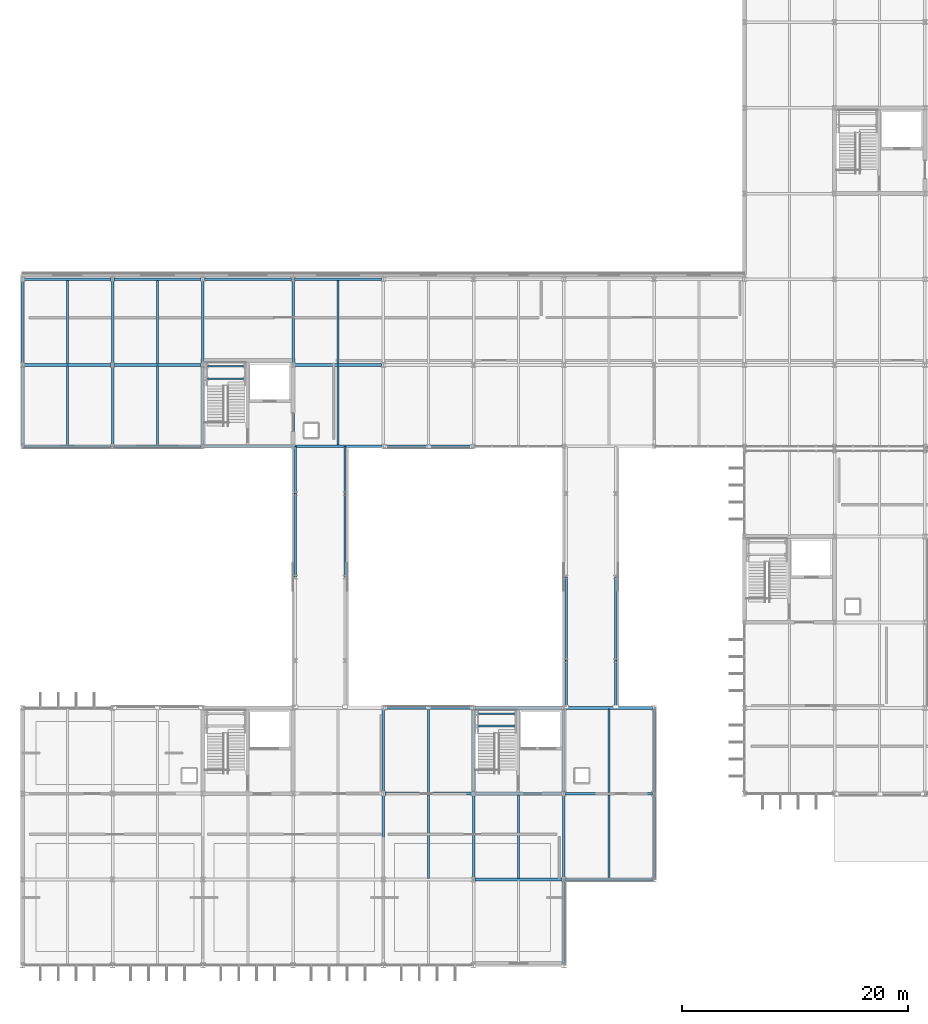
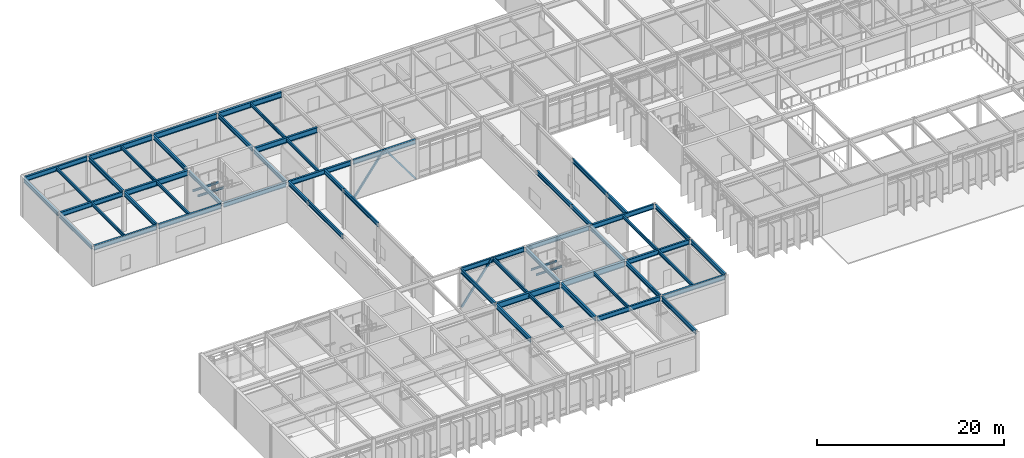
# One storey, part 28 of 94: 60 beams, 4 members.
"""IFC4 building model written with IfcOpenShell, lengths in metres."""

from ifc_helpers import new_model, si_unit, direction, frame, origin, origin_2d, place, context, subcontext, project, spatial, hollow_rectangle, i_section, extrude, material, material_profile, profile_set, type_object, element, save


model = new_model("IFC4")

# Units and contexts
model_context = context("Model", 3, precision=1e-05, world=origin(), true_north=direction((0.0, 1.0)))
body_context = subcontext(model_context, "Body", "Model", "MODEL_VIEW")
ifc_project = project(units=[si_unit("LENGTHUNIT", "METRE"), si_unit("AREAUNIT", "SQUARE_METRE"), si_unit("VOLUMEUNIT", "CUBIC_METRE"), si_unit("PLANEANGLEUNIT", "RADIAN"), si_unit("MASSUNIT", "GRAM", prefix="KILO")], contexts=[model_context])

# Site, building, storey
site_placement = place(None, origin())
site = spatial("IfcSite", under=ifc_project, at=site_placement, CompositionType="ELEMENT")
building_placement = place(site_placement, origin())
building = spatial("IfcBuilding", under=site, at=building_placement, Name="Zulena Civic Courthouse", CompositionType="ELEMENT")
storey_placement = place(building_placement, frame((0.0, 0.0, 5.39990234375)))
storey = spatial("IfcBuildingStorey", under=building, at=storey_placement, Name="L01", CompositionType="ELEMENT", Elevation=5.39990234375)

# Members
ifc_material_1 = material(Name="Steel ASTM A500 Grade C", Category="steel")
ifc_material_profile_1 = material_profile(ifc_material_1, hollow_rectangle(XDim=0.152099609375, YDim=0.25390625, WallThickness=0.0087890625, at=origin_2d()), Name="HSS10X6X3/8")
ifc_profile_set_1 = profile_set([ifc_material_profile_1], Name="Steel ASTM A500 Grade C")
member_type_1 = type_object("IfcMemberType", Name="Brace_HSS10X6", PredefinedType="BRACE", material=ifc_profile_set_1)
for number, where, z_axis, x_axis, name in (
    (1, (36.14990234375, 22.800048828125, 0.010009765625), (0.593725886298, 0.0, 0.804667367264), (0.0, 1.0, 0.0), "brace:V2:L01:1:0"),
    (2, (43.85009765625, 22.800048828125, 0.010009765625), (-0.593725886298, 0.0, 0.804667367264), (0.0, -1.0, 0.0), "brace:V2:L01:1:1"),
):
    element("IfcMember", number, at=place(storey_placement, frame(where, z_axis=z_axis, x_axis=x_axis)), inside=storey, type_object=member_type_1, Name=name, PredefinedType="BRACE", context=body_context, shape_type="SweptSolid", body=[
        extrude(hollow_rectangle(XDim=0.152099609375, YDim=0.25390625, WallThickness=0.0087890625, at=origin_2d()), origin(), (0.0, 0.0, 1.0), 6.400390625),
    ])
ifc_material_profile_2 = material_profile(ifc_material_1, hollow_rectangle(XDim=0.202880859375, YDim=0.202880859375, WallThickness=0.01171875, at=origin_2d()), Name="HSS8X8X1/2")
ifc_profile_set_2 = profile_set([ifc_material_profile_2], Name="Steel ASTM A500 Grade C")
member_type_2 = type_object("IfcMemberType", Name="Brace_HSS8", PredefinedType="BRACE", material=ifc_profile_set_2)
for number, where, z_axis, x_axis, name in (
    (3, (36.14990234375, 46.0, 0.010009765625), (0.593725886298, 0.0, 0.804667367264), (0.0, 1.0, 0.0), "brace:V5:L01:5:0"),
    (4, (43.85009765625, 46.0, 0.010009765625), (-0.593725886298, 0.0, 0.804667367264), (0.0, -1.0, 0.0), "brace:V5:L01:5:1"),
):
    element("IfcMember", number, at=place(storey_placement, frame(where, z_axis=z_axis, x_axis=x_axis)), inside=storey, type_object=member_type_2, Name=name, PredefinedType="BRACE", context=body_context, shape_type="SweptSolid", body=[
        extrude(hollow_rectangle(XDim=0.202880859375, YDim=0.202880859375, WallThickness=0.01171875, at=origin_2d()), origin(), (0.0, 0.0, 1.0), 6.400390625),
    ])

# Beams
ifc_material_2 = material(Name="Steel ASTM A992 Grade 50", Category="steel")
ifc_material_profile_3 = material_profile(ifc_material_2, i_section(OverallWidth=0.2099609375, OverallDepth=0.537109375, WebThickness=0.010986328125, FlangeThickness=0.017333984375, FilletRadius=0.0126953125, at=origin_2d()), Name="W21X68")
ifc_profile_set_3 = profile_set([ifc_material_profile_3], Name="Steel ASTM A992 Grade 50")
beam_type_1 = type_object("IfcBeamType", Name="BridgeGirder_W21X68", PredefinedType="BEAM", material=ifc_profile_set_3)
beam_1_placement = place(storey_placement, frame((28.199951171875, 34.39990234375, 4.9365234375), z_axis=(0.0, 1.0, 0.0), x_axis=(-1.0, 0.0, 0.0)))
element("IfcBeam", 5, at=beam_1_placement, inside=storey, type_object=beam_type_1, Name="beam:bridge:BR-52J:L02:28.20:2", PredefinedType="BEAM", context=body_context, shape_type="SweptSolid", body=[
    extrude(i_section(OverallWidth=0.2099609375, OverallDepth=0.537109375, WebThickness=0.010986328125, FlangeThickness=0.017333984375, FilletRadius=0.0126953125, at=origin_2d()), origin(), (0.0, 0.0, 1.0), 7.400146484375),
])
beam_2_placement = place(storey_placement, frame((28.199951171875, 41.800048828125, 4.9365234375), z_axis=(0.0, 1.0, 0.0), x_axis=(-1.0, 0.0, 0.0)))
element("IfcBeam", 6, at=beam_2_placement, inside=storey, type_object=beam_type_1, Name="beam:bridge:BR-52J:L02:28.20:3", PredefinedType="BEAM", context=body_context, shape_type="SweptSolid", body=[
    extrude(i_section(OverallWidth=0.2099609375, OverallDepth=0.537109375, WebThickness=0.010986328125, FlangeThickness=0.017333984375, FilletRadius=0.0126953125, at=origin_2d()), origin(), (0.0, 0.0, 1.0), 4.169921875),
])
beam_3_placement = place(storey_placement, frame((32.60009765625, 34.39990234375, 4.9365234375), z_axis=(0.0, 1.0, 0.0), x_axis=(-1.0, 0.0, 0.0)))
element("IfcBeam", 7, at=beam_3_placement, inside=storey, type_object=beam_type_1, Name="beam:bridge:BR-52J:L02:32.60:2", PredefinedType="BEAM", context=body_context, shape_type="SweptSolid", body=[
    extrude(i_section(OverallWidth=0.2099609375, OverallDepth=0.537109375, WebThickness=0.010986328125, FlangeThickness=0.017333984375, FilletRadius=0.0126953125, at=origin_2d()), origin(), (0.0, 0.0, 1.0), 7.400146484375),
])
for number, where, z_axis, x_axis, name in (
    (8, (32.60009765625, 41.800048828125, 4.9365234375), (0.0, 1.0, 0.0), (-1.0, 0.0, 0.0), "beam:bridge:BR-52J:L02:32.60:3"),
    (9, (52.199951171875, 22.830078125, 4.9365234375), (0.0, 1.0, 0.0), (-1.0, 0.0, 0.0), "beam:bridge:BR-52C:L02:52.20:0"),
):
    element("IfcBeam", number, at=place(storey_placement, frame(where, z_axis=z_axis, x_axis=x_axis)), inside=storey, type_object=beam_type_1, Name=name, PredefinedType="BEAM", context=body_context, shape_type="SweptSolid", body=[
        extrude(i_section(OverallWidth=0.2099609375, OverallDepth=0.537109375, WebThickness=0.010986328125, FlangeThickness=0.017333984375, FilletRadius=0.0126953125, at=origin_2d()), origin(), (0.0, 0.0, 1.0), 4.169921875),
    ])
beam_4_placement = place(storey_placement, frame((52.199951171875, 27.0, 4.9365234375), z_axis=(0.0, 1.0, 0.0), x_axis=(-1.0, 0.0, 0.0)))
element("IfcBeam", 10, at=beam_4_placement, inside=storey, type_object=beam_type_1, Name="beam:bridge:BR-52C:L02:52.20:1", PredefinedType="BEAM", context=body_context, shape_type="SweptSolid", body=[
    extrude(i_section(OverallWidth=0.2099609375, OverallDepth=0.537109375, WebThickness=0.010986328125, FlangeThickness=0.017333984375, FilletRadius=0.0126953125, at=origin_2d()), origin(), (0.0, 0.0, 1.0), 7.39990234375),
])
beam_5_placement = place(storey_placement, frame((56.60009765625, 22.830078125, 4.9365234375), z_axis=(0.0, 1.0, 0.0), x_axis=(-1.0, 0.0, 0.0)))
element("IfcBeam", 11, at=beam_5_placement, inside=storey, type_object=beam_type_1, Name="beam:bridge:BR-52C:L02:56.60:0", PredefinedType="BEAM", context=body_context, shape_type="SweptSolid", body=[
    extrude(i_section(OverallWidth=0.2099609375, OverallDepth=0.537109375, WebThickness=0.010986328125, FlangeThickness=0.017333984375, FilletRadius=0.0126953125, at=origin_2d()), origin(), (0.0, 0.0, 1.0), 4.169921875),
])
beam_6_placement = place(storey_placement, frame((56.60009765625, 27.0, 4.9365234375), z_axis=(0.0, 1.0, 0.0), x_axis=(-1.0, 0.0, 0.0)))
element("IfcBeam", 12, at=beam_6_placement, inside=storey, type_object=beam_type_1, Name="beam:bridge:BR-52C:L02:56.60:1", PredefinedType="BEAM", context=body_context, shape_type="SweptSolid", body=[
    extrude(i_section(OverallWidth=0.2099609375, OverallDepth=0.537109375, WebThickness=0.010986328125, FlangeThickness=0.017333984375, FilletRadius=0.0126953125, at=origin_2d()), origin(), (0.0, 0.0, 1.0), 7.39990234375),
])
ifc_material_profile_4 = material_profile(ifc_material_2, i_section(OverallWidth=0.214111328125, OverallDepth=0.549072265625, WebThickness=0.0146484375, FlangeThickness=0.023681640625, FilletRadius=0.0126953125, at=origin_2d()), Name="W21X93")
ifc_profile_set_4 = profile_set([ifc_material_profile_4], Name="Steel ASTM A992 Grade 50")
beam_type_2 = type_object("IfcBeamType", Name="Girder_W21X93", PredefinedType="BEAM", material=ifc_profile_set_4)
for number, where, z_axis, x_axis, name in (
    (13, (12.0, 53.344970703125, 4.91064453125), (0.0, 1.0, 0.0), (-1.0, 0.0, 0.0), "beam:Y:V5:L01:12.0:53.2_60.8"),
    (14, (20.0, 53.344970703125, 4.91064453125), (0.0, 1.0, 0.0), (-1.0, 0.0, 0.0), "beam:Y:V5:L01:20.0:53.2_60.8"),
    (15, (28.0, 53.344970703125, 4.91064453125), (0.0, 1.0, 0.0), (-1.0, 0.0, 0.0), "beam:Y:V5:L01:28.0:53.2_60.8"),
):
    element("IfcBeam", number, at=place(storey_placement, frame(where, z_axis=z_axis, x_axis=x_axis)), inside=storey, type_object=beam_type_2, Name=name, PredefinedType="BEAM", context=body_context, shape_type="SweptSolid", body=[
        extrude(i_section(OverallWidth=0.214111328125, OverallDepth=0.549072265625, WebThickness=0.0146484375, FlangeThickness=0.023681640625, FilletRadius=0.0126953125, at=origin_2d()), origin(), (0.0, 0.0, 1.0), 7.31005859375),
    ])
ifc_material_profile_5 = material_profile(ifc_material_2, i_section(OverallWidth=0.22802734375, OverallDepth=0.60693359375, WebThickness=0.01123046875, FlangeThickness=0.017333984375, FilletRadius=0.0126953125, at=origin_2d()), Name="W24X76")
ifc_profile_set_5 = profile_set([ifc_material_profile_5], Name="Steel ASTM A992 Grade 50")
beam_type_3 = type_object("IfcBeamType", Name="Girder_W24X76", PredefinedType="BEAM", material=ifc_profile_set_5)
for number, where, z_axis, x_axis, name in (
    (16, (36.0, 7.7451171875, 4.881591796875), (0.0, 1.0, 0.0), (-1.0, 0.0, 0.0), "beam:Y:V2:L01:36.0:7.6_15.2"),
    (17, (44.0, 7.7451171875, 4.881591796875), (0.0, 1.0, 0.0), (-1.0, 0.0, 0.0), "beam:Y:V2:L01:44.0:7.6_15.2"),
):
    element("IfcBeam", number, at=place(storey_placement, frame(where, z_axis=z_axis, x_axis=x_axis)), inside=storey, type_object=beam_type_3, Name=name, PredefinedType="BEAM", context=body_context, shape_type="SweptSolid", body=[
        extrude(i_section(OverallWidth=0.22802734375, OverallDepth=0.60693359375, WebThickness=0.01123046875, FlangeThickness=0.017333984375, FilletRadius=0.0126953125, at=origin_2d()), origin(), (0.0, 0.0, 1.0), 7.309814453125),
    ])
ifc_material_profile_6 = material_profile(ifc_material_2, i_section(OverallWidth=0.25390625, OverallDepth=0.701904296875, WebThickness=0.015380859375, FlangeThickness=0.02783203125, FilletRadius=0.0166015625, at=origin_2d()), Name="W27X129")
ifc_profile_set_6 = profile_set([ifc_material_profile_6], Name="Steel ASTM A992 Grade 50")
beam_type_4 = type_object("IfcBeamType", Name="Girder_W27X129", PredefinedType="BEAM", material=ifc_profile_set_6)
for number, where, z_axis, x_axis, name in (
    (18, (12.14501953125, 53.199951171875, 4.833984375), (1.0, 0.0, 0.0), (0.0, 1.0, 0.0), "beam:X:V5:L01:53.2:12.0_20.0"),
    (19, (28.14501953125, 53.199951171875, 4.833984375), (1.0, 0.0, 0.0), (0.0, 1.0, 0.0), "beam:X:V5:L01:53.2:28.0_36.0"),
    (20, (12.14501953125, 60.800048828125, 4.833984375), (1.0, 0.0, 0.0), (0.0, 1.0, 0.0), "beam:X:V5:L01:60.8:12.0_20.0"),
    (21, (20.14501953125, 60.800048828125, 4.833984375), (1.0, 0.0, 0.0), (0.0, 1.0, 0.0), "beam:X:V5:L01:60.8:20.0_28.0"),
    (22, (28.14501953125, 60.800048828125, 4.833984375), (1.0, 0.0, 0.0), (0.0, 1.0, 0.0), "beam:X:V5:L01:60.8:28.0_36.0"),
):
    element("IfcBeam", number, at=place(storey_placement, frame(where, z_axis=z_axis, x_axis=x_axis)), inside=storey, type_object=beam_type_4, Name=name, PredefinedType="BEAM", context=body_context, shape_type="SweptSolid", body=[
        extrude(i_section(OverallWidth=0.25390625, OverallDepth=0.701904296875, WebThickness=0.015380859375, FlangeThickness=0.02783203125, FilletRadius=0.0166015625, at=origin_2d()), origin(), (0.0, 0.0, 1.0), 7.7099609375),
    ])
ifc_material_profile_7 = material_profile(ifc_material_2, i_section(OverallWidth=0.26708984375, OverallDepth=0.761962890625, WebThickness=0.014404296875, FlangeThickness=0.021484375, FilletRadius=0.0166015625, at=origin_2d()), Name="W30X116")
ifc_profile_set_7 = profile_set([ifc_material_profile_7], Name="Steel ASTM A992 Grade 50")
beam_type_5 = type_object("IfcBeamType", Name="Girder_W30X116", PredefinedType="BEAM", material=ifc_profile_set_7)
for number, where, z_axis, x_axis, name in (
    (23, (36.14501953125, 15.199951171875, 4.80419921875), (1.0, 0.0, 0.0), (0.0, 1.0, 0.0), "beam:X:V2:L01:15.2:36.0_44.0"),
    (24, (44.14501953125, 15.199951171875, 4.80419921875), (1.0, 0.0, 0.0), (0.0, 1.0, 0.0), "beam:X:V2:L01:15.2:44.0_52.0"),
):
    element("IfcBeam", number, at=place(storey_placement, frame(where, z_axis=z_axis, x_axis=x_axis)), inside=storey, type_object=beam_type_5, Name=name, PredefinedType="BEAM", context=body_context, shape_type="SweptSolid", body=[
        extrude(i_section(OverallWidth=0.26708984375, OverallDepth=0.761962890625, WebThickness=0.014404296875, FlangeThickness=0.021484375, FilletRadius=0.0166015625, at=origin_2d()), origin(), (0.0, 0.0, 1.0), 7.7099609375),
    ])
ifc_material_profile_8 = material_profile(ifc_material_2, i_section(OverallWidth=0.14599609375, OverallDepth=0.258056640625, WebThickness=0.006103515625, FlangeThickness=0.009033203125, FilletRadius=0.007568359375, at=origin_2d()), Name="W10X22")
ifc_profile_set_8 = profile_set([ifc_material_profile_8], Name="Steel ASTM A992 Grade 50")
beam_type_6 = type_object("IfcBeamType", Name="Joist_W10X22", PredefinedType="JOIST", material=ifc_profile_set_8)
for number, where, z_axis, x_axis, name in (
    (25, (44.419921875, 21.199951171875, 2.291015625), (1.0, 0.0, 0.0), (0.0, 1.0, 0.0), "beam:lnd:K2B:L01:0"),
    (26, (44.419921875, 22.300048828125, 2.291015625), (1.0, 0.0, 0.0), (0.0, 1.0, 0.0), "beam:lnd:K2B:L01:1"),
    (27, (20.419921875, 52.0, 2.291015625), (1.0, 0.0, 0.0), (0.0, 1.0, 0.0), "beam:lnd:K5A:L01:0"),
    (28, (20.419921875, 53.10009765625, 2.291015625), (1.0, 0.0, 0.0), (0.0, 1.0, 0.0), "beam:lnd:K5A:L01:1"),
):
    element("IfcBeam", number, at=place(storey_placement, frame(where, z_axis=z_axis, x_axis=x_axis)), inside=storey, type_object=beam_type_6, Name=name, PredefinedType="JOIST", context=body_context, shape_type="SweptSolid", body=[
        extrude(i_section(OverallWidth=0.14599609375, OverallDepth=0.258056640625, WebThickness=0.006103515625, FlangeThickness=0.009033203125, FilletRadius=0.007568359375, at=origin_2d()), origin(), (0.0, 0.0, 1.0), 3.2001953125),
    ])
ifc_material_profile_9 = material_profile(ifc_material_2, i_section(OverallWidth=0.177978515625, OverallDepth=0.406005859375, WebThickness=0.0078125, FlangeThickness=0.0126953125, FilletRadius=0.01025390625, at=origin_2d()), Name="W16X40")
ifc_profile_set_9 = profile_set([ifc_material_profile_9], Name="Steel ASTM A992 Grade 50")
beam_type_7 = type_object("IfcBeamType", Name="Joist_W16X40", PredefinedType="JOIST", material=ifc_profile_set_9)
beam_7_placement = place(storey_placement, frame((8.0, 46.10498046875, 4.982177734375), z_axis=(0.0, 1.0, 0.0), x_axis=(-1.0, 0.0, 0.0)))
element("IfcBeam", 29, at=beam_7_placement, inside=storey, type_object=beam_type_7, Name="joist:V5:L01:8.00:46.0_53.2", PredefinedType="JOIST", context=body_context, shape_type="SweptSolid", body=[
    extrude(i_section(OverallWidth=0.177978515625, OverallDepth=0.406005859375, WebThickness=0.0078125, FlangeThickness=0.0126953125, FilletRadius=0.01025390625, at=origin_2d()), origin(), (0.0, 0.0, 1.0), 6.989990234375),
])
beam_8_placement = place(storey_placement, frame((8.0, 53.304931640625, 4.982177734375), z_axis=(0.0, 1.0, 0.0), x_axis=(-1.0, 0.0, 0.0)))
element("IfcBeam", 30, at=beam_8_placement, inside=storey, type_object=beam_type_7, Name="joist:V5:L01:8.00:53.2_60.8", PredefinedType="JOIST", context=body_context, shape_type="SweptSolid", body=[
    extrude(i_section(OverallWidth=0.177978515625, OverallDepth=0.406005859375, WebThickness=0.0078125, FlangeThickness=0.0126953125, FilletRadius=0.01025390625, at=origin_2d()), origin(), (0.0, 0.0, 1.0), 7.39013671875),
])
beam_9_placement = place(storey_placement, frame((16.0, 46.10498046875, 4.982177734375), z_axis=(0.0, 1.0, 0.0), x_axis=(-1.0, 0.0, 0.0)))
element("IfcBeam", 31, at=beam_9_placement, inside=storey, type_object=beam_type_7, Name="joist:V5:L01:16.00:46.0_53.2", PredefinedType="JOIST", context=body_context, shape_type="SweptSolid", body=[
    extrude(i_section(OverallWidth=0.177978515625, OverallDepth=0.406005859375, WebThickness=0.0078125, FlangeThickness=0.0126953125, FilletRadius=0.01025390625, at=origin_2d()), origin(), (0.0, 0.0, 1.0), 6.989990234375),
])
beam_10_placement = place(storey_placement, frame((16.0, 53.304931640625, 4.982177734375), z_axis=(0.0, 1.0, 0.0), x_axis=(-1.0, 0.0, 0.0)))
element("IfcBeam", 32, at=beam_10_placement, inside=storey, type_object=beam_type_7, Name="joist:V5:L01:16.00:53.2_60.8", PredefinedType="JOIST", context=body_context, shape_type="SweptSolid", body=[
    extrude(i_section(OverallWidth=0.177978515625, OverallDepth=0.406005859375, WebThickness=0.0078125, FlangeThickness=0.0126953125, FilletRadius=0.01025390625, at=origin_2d()), origin(), (0.0, 0.0, 1.0), 7.39013671875),
])
beam_11_placement = place(storey_placement, frame((32.0, 46.10498046875, 4.982177734375), z_axis=(0.0, 1.0, 0.0), x_axis=(-1.0, 0.0, 0.0)))
element("IfcBeam", 33, at=beam_11_placement, inside=storey, type_object=beam_type_7, Name="joist:V5:L01:32.00:46.0_53.2", PredefinedType="JOIST", context=body_context, shape_type="SweptSolid", body=[
    extrude(i_section(OverallWidth=0.177978515625, OverallDepth=0.406005859375, WebThickness=0.0078125, FlangeThickness=0.0126953125, FilletRadius=0.01025390625, at=origin_2d()), origin(), (0.0, 0.0, 1.0), 6.989990234375),
])
beam_12_placement = place(storey_placement, frame((32.0, 53.304931640625, 4.982177734375), z_axis=(0.0, 1.0, 0.0), x_axis=(-1.0, 0.0, 0.0)))
element("IfcBeam", 34, at=beam_12_placement, inside=storey, type_object=beam_type_7, Name="joist:V5:L01:32.00:53.2_60.8", PredefinedType="JOIST", context=body_context, shape_type="SweptSolid", body=[
    extrude(i_section(OverallWidth=0.177978515625, OverallDepth=0.406005859375, WebThickness=0.0078125, FlangeThickness=0.0126953125, FilletRadius=0.01025390625, at=origin_2d()), origin(), (0.0, 0.0, 1.0), 7.39013671875),
])
ifc_material_profile_10 = material_profile(ifc_material_2, i_section(OverallWidth=0.180908203125, OverallDepth=0.4169921875, WebThickness=0.010986328125, FlangeThickness=0.018310546875, FilletRadius=0.01025390625, at=origin_2d()), Name="W16X57")
ifc_profile_set_10 = profile_set([ifc_material_profile_10], Name="Steel ASTM A992 Grade 50")
beam_type_8 = type_object("IfcBeamType", Name="Joist_W16X57", PredefinedType="JOIST", material=ifc_profile_set_10)
beam_13_placement = place(storey_placement, frame((40.0, 7.705078125, 4.9765625), z_axis=(0.0, 1.0, 0.0), x_axis=(-1.0, 0.0, 0.0)))
element("IfcBeam", 35, at=beam_13_placement, inside=storey, type_object=beam_type_8, Name="joist:V2:L01:40.00:7.6_15.2", PredefinedType="JOIST", context=body_context, shape_type="SweptSolid", body=[
    extrude(i_section(OverallWidth=0.180908203125, OverallDepth=0.4169921875, WebThickness=0.010986328125, FlangeThickness=0.018310546875, FilletRadius=0.01025390625, at=origin_2d()), origin(), (0.0, 0.0, 1.0), 7.389892578125),
])
beam_14_placement = place(storey_placement, frame((40.0, 15.304931640625, 4.9765625), z_axis=(0.0, 1.0, 0.0), x_axis=(-1.0, 0.0, 0.0)))
element("IfcBeam", 36, at=beam_14_placement, inside=storey, type_object=beam_type_8, Name="joist:V2:L01:40.00:15.2_22.8", PredefinedType="JOIST", context=body_context, shape_type="SweptSolid", body=[
    extrude(i_section(OverallWidth=0.180908203125, OverallDepth=0.4169921875, WebThickness=0.010986328125, FlangeThickness=0.018310546875, FilletRadius=0.01025390625, at=origin_2d()), origin(), (0.0, 0.0, 1.0), 7.39013671875),
])
for number, where, z_axis, x_axis, name in (
    (37, (48.0, 7.705078125, 4.9765625), (0.0, 1.0, 0.0), (-1.0, 0.0, 0.0), "joist:V2:L01:48.00:7.6_15.2"),
    (38, (56.0, 7.705078125, 4.9765625), (0.0, 1.0, 0.0), (-1.0, 0.0, 0.0), "joist:V2:L01:56.00:7.6_15.2"),
):
    element("IfcBeam", number, at=place(storey_placement, frame(where, z_axis=z_axis, x_axis=x_axis)), inside=storey, type_object=beam_type_8, Name=name, PredefinedType="JOIST", context=body_context, shape_type="SweptSolid", body=[
        extrude(i_section(OverallWidth=0.180908203125, OverallDepth=0.4169921875, WebThickness=0.010986328125, FlangeThickness=0.018310546875, FilletRadius=0.01025390625, at=origin_2d()), origin(), (0.0, 0.0, 1.0), 7.389892578125),
    ])
beam_15_placement = place(storey_placement, frame((56.0, 15.304931640625, 4.9765625), z_axis=(0.0, 1.0, 0.0), x_axis=(-1.0, 0.0, 0.0)))
element("IfcBeam", 39, at=beam_15_placement, inside=storey, type_object=beam_type_8, Name="joist:V2:L01:56.00:15.2_22.8", PredefinedType="JOIST", context=body_context, shape_type="SweptSolid", body=[
    extrude(i_section(OverallWidth=0.180908203125, OverallDepth=0.4169921875, WebThickness=0.010986328125, FlangeThickness=0.018310546875, FilletRadius=0.01025390625, at=origin_2d()), origin(), (0.0, 0.0, 1.0), 7.39013671875),
])
ifc_material_profile_11 = material_profile(ifc_material_2, i_section(OverallWidth=0.2099609375, OverallDepth=0.537109375, WebThickness=0.010986328125, FlangeThickness=0.017333984375, FilletRadius=0.0126953125, at=origin_2d()), Name="W21X68")
ifc_profile_set_11 = profile_set([ifc_material_profile_11], Name="Steel ASTM A992 Grade 50")
beam_type_9 = type_object("IfcBeamType", Name="Spandrel_W21X68", PredefinedType="SPANDREL", material=ifc_profile_set_11)
for number, where, z_axis, x_axis, name in (
    (40, (36.0, 15.344970703125, 4.91650390625), (0.0, 1.0, 0.0), (-1.0, 0.0, 0.0), "beam:Y:V2:L01:36.0:15.2_22.8"),
    (41, (44.0, 15.344970703125, 4.91650390625), (0.0, 1.0, 0.0), (-1.0, 0.0, 0.0), "beam:Y:V2:L01:44.0:15.2_22.8"),
    (42, (52.0, 0.14501953125, 4.91650390625), (0.0, 1.0, 0.0), (-1.0, 0.0, 0.0), "beam:Y:V2:L01:52.0:0.0_7.6"),
):
    element("IfcBeam", number, at=place(storey_placement, frame(where, z_axis=z_axis, x_axis=x_axis)), inside=storey, type_object=beam_type_9, Name=name, PredefinedType="SPANDREL", context=body_context, shape_type="SweptSolid", body=[
        extrude(i_section(OverallWidth=0.2099609375, OverallDepth=0.537109375, WebThickness=0.010986328125, FlangeThickness=0.017333984375, FilletRadius=0.0126953125, at=origin_2d()), origin(), (0.0, 0.0, 1.0), 7.31005859375),
    ])
beam_16_placement = place(storey_placement, frame((52.0, 7.7451171875, 4.91650390625), z_axis=(0.0, 1.0, 0.0), x_axis=(-1.0, 0.0, 0.0)))
element("IfcBeam", 43, at=beam_16_placement, inside=storey, type_object=beam_type_9, Name="beam:Y:V2:L01:52.0:7.6_15.2", PredefinedType="SPANDREL", context=body_context, shape_type="SweptSolid", body=[
    extrude(i_section(OverallWidth=0.2099609375, OverallDepth=0.537109375, WebThickness=0.010986328125, FlangeThickness=0.017333984375, FilletRadius=0.0126953125, at=origin_2d()), origin(), (0.0, 0.0, 1.0), 7.309814453125),
])
beam_17_placement = place(storey_placement, frame((52.0, 15.344970703125, 4.91650390625), z_axis=(0.0, 1.0, 0.0), x_axis=(-1.0, 0.0, 0.0)))
element("IfcBeam", 44, at=beam_17_placement, inside=storey, type_object=beam_type_9, Name="beam:Y:V2:L01:52.0:15.2_22.8", PredefinedType="SPANDREL", context=body_context, shape_type="SweptSolid", body=[
    extrude(i_section(OverallWidth=0.2099609375, OverallDepth=0.537109375, WebThickness=0.010986328125, FlangeThickness=0.017333984375, FilletRadius=0.0126953125, at=origin_2d()), origin(), (0.0, 0.0, 1.0), 7.31005859375),
])
beam_18_placement = place(storey_placement, frame((60.0, 7.7451171875, 4.91650390625), z_axis=(0.0, 1.0, 0.0), x_axis=(-1.0, 0.0, 0.0)))
element("IfcBeam", 45, at=beam_18_placement, inside=storey, type_object=beam_type_9, Name="beam:Y:V2:L01:60.0:7.6_15.2", PredefinedType="SPANDREL", context=body_context, shape_type="SweptSolid", body=[
    extrude(i_section(OverallWidth=0.2099609375, OverallDepth=0.537109375, WebThickness=0.010986328125, FlangeThickness=0.017333984375, FilletRadius=0.0126953125, at=origin_2d()), origin(), (0.0, 0.0, 1.0), 7.309814453125),
])
beam_19_placement = place(storey_placement, frame((60.0, 15.344970703125, 4.91650390625), z_axis=(0.0, 1.0, 0.0), x_axis=(-1.0, 0.0, 0.0)))
element("IfcBeam", 46, at=beam_19_placement, inside=storey, type_object=beam_type_9, Name="beam:Y:V2:L01:60.0:15.2_22.8", PredefinedType="SPANDREL", context=body_context, shape_type="SweptSolid", body=[
    extrude(i_section(OverallWidth=0.2099609375, OverallDepth=0.537109375, WebThickness=0.010986328125, FlangeThickness=0.017333984375, FilletRadius=0.0126953125, at=origin_2d()), origin(), (0.0, 0.0, 1.0), 7.31005859375),
])
beam_20_placement = place(storey_placement, frame((4.0, 46.14501953125, 4.91650390625), z_axis=(0.0, 1.0, 0.0), x_axis=(-1.0, 0.0, 0.0)))
element("IfcBeam", 47, at=beam_20_placement, inside=storey, type_object=beam_type_9, Name="beam:Y:V5:L01:4.0:46.0_53.2", PredefinedType="SPANDREL", context=body_context, shape_type="SweptSolid", body=[
    extrude(i_section(OverallWidth=0.2099609375, OverallDepth=0.537109375, WebThickness=0.010986328125, FlangeThickness=0.017333984375, FilletRadius=0.0126953125, at=origin_2d()), origin(), (0.0, 0.0, 1.0), 6.909912109375),
])
beam_21_placement = place(storey_placement, frame((4.0, 53.344970703125, 4.91650390625), z_axis=(0.0, 1.0, 0.0), x_axis=(-1.0, 0.0, 0.0)))
element("IfcBeam", 48, at=beam_21_placement, inside=storey, type_object=beam_type_9, Name="beam:Y:V5:L01:4.0:53.2_60.8", PredefinedType="SPANDREL", context=body_context, shape_type="SweptSolid", body=[
    extrude(i_section(OverallWidth=0.2099609375, OverallDepth=0.537109375, WebThickness=0.010986328125, FlangeThickness=0.017333984375, FilletRadius=0.0126953125, at=origin_2d()), origin(), (0.0, 0.0, 1.0), 7.31005859375),
])
for number, where, z_axis, x_axis, name in (
    (49, (12.0, 46.14501953125, 4.91650390625), (0.0, 1.0, 0.0), (-1.0, 0.0, 0.0), "beam:Y:V5:L01:12.0:46.0_53.2"),
    (50, (20.0, 46.14501953125, 4.91650390625), (0.0, 1.0, 0.0), (-1.0, 0.0, 0.0), "beam:Y:V5:L01:20.0:46.0_53.2"),
    (51, (28.0, 46.14501953125, 4.91650390625), (0.0, 1.0, 0.0), (-1.0, 0.0, 0.0), "beam:Y:V5:L01:28.0:46.0_53.2"),
):
    element("IfcBeam", number, at=place(storey_placement, frame(where, z_axis=z_axis, x_axis=x_axis)), inside=storey, type_object=beam_type_9, Name=name, PredefinedType="SPANDREL", context=body_context, shape_type="SweptSolid", body=[
        extrude(i_section(OverallWidth=0.2099609375, OverallDepth=0.537109375, WebThickness=0.010986328125, FlangeThickness=0.017333984375, FilletRadius=0.0126953125, at=origin_2d()), origin(), (0.0, 0.0, 1.0), 6.909912109375),
    ])
ifc_material_profile_12 = material_profile(ifc_material_2, i_section(OverallWidth=0.22998046875, OverallDepth=0.616943359375, WebThickness=0.01318359375, FlangeThickness=0.022216796875, FilletRadius=0.0126953125, at=origin_2d()), Name="W24X94")
ifc_profile_set_12 = profile_set([ifc_material_profile_12], Name="Steel ASTM A992 Grade 50")
beam_type_10 = type_object("IfcBeamType", Name="Spandrel_W24X94", PredefinedType="SPANDREL", material=ifc_profile_set_12)
for number, where, z_axis, x_axis, name in (
    (52, (44.14501953125, 7.60009765625, 4.876708984375), (1.0, 0.0, 0.0), (0.0, 1.0, 0.0), "beam:X:V2:L01:7.6:44.0_52.0"),
    (53, (52.14501953125, 7.60009765625, 4.876708984375), (1.0, 0.0, 0.0), (0.0, 1.0, 0.0), "beam:X:V2:L01:7.6:52.0_60.0"),
    (54, (52.14501953125, 15.199951171875, 4.876708984375), (1.0, 0.0, 0.0), (0.0, 1.0, 0.0), "beam:X:V2:L01:15.2:52.0_60.0"),
    (55, (36.14501953125, 22.800048828125, 4.876708984375), (1.0, 0.0, 0.0), (0.0, 1.0, 0.0), "beam:X:V2:L01:22.8:36.0_44.0"),
    (56, (44.14501953125, 22.800048828125, 4.876708984375), (1.0, 0.0, 0.0), (0.0, 1.0, 0.0), "beam:X:V2:L01:22.8:44.0_52.0"),
    (57, (52.14501953125, 22.800048828125, 4.876708984375), (1.0, 0.0, 0.0), (0.0, 1.0, 0.0), "beam:X:V2:L01:22.8:52.0_60.0"),
    (58, (4.14501953125, 46.0, 4.876708984375), (1.0, 0.0, 0.0), (0.0, 1.0, 0.0), "beam:X:V5:L01:46.0:4.0_12.0"),
    (59, (12.14501953125, 46.0, 4.876708984375), (1.0, 0.0, 0.0), (0.0, 1.0, 0.0), "beam:X:V5:L01:46.0:12.0_20.0"),
    (60, (20.14501953125, 46.0, 4.876708984375), (1.0, 0.0, 0.0), (0.0, 1.0, 0.0), "beam:X:V5:L01:46.0:20.0_28.0"),
    (61, (28.14501953125, 46.0, 4.876708984375), (1.0, 0.0, 0.0), (0.0, 1.0, 0.0), "beam:X:V5:L01:46.0:28.0_36.0"),
    (62, (36.14501953125, 46.0, 4.876708984375), (1.0, 0.0, 0.0), (0.0, 1.0, 0.0), "beam:X:V5:L01:46.0:36.0_44.0"),
    (63, (4.14501953125, 53.199951171875, 4.876708984375), (1.0, 0.0, 0.0), (0.0, 1.0, 0.0), "beam:X:V5:L01:53.2:4.0_12.0"),
    (64, (4.14501953125, 60.800048828125, 4.876708984375), (1.0, 0.0, 0.0), (0.0, 1.0, 0.0), "beam:X:V5:L01:60.8:4.0_12.0"),
):
    element("IfcBeam", number, at=place(storey_placement, frame(where, z_axis=z_axis, x_axis=x_axis)), inside=storey, type_object=beam_type_10, Name=name, PredefinedType="SPANDREL", context=body_context, shape_type="SweptSolid", body=[
        extrude(i_section(OverallWidth=0.22998046875, OverallDepth=0.616943359375, WebThickness=0.01318359375, FlangeThickness=0.022216796875, FilletRadius=0.0126953125, at=origin_2d()), origin(), (0.0, 0.0, 1.0), 7.7099609375),
    ])

save(model, "model.ifc")
